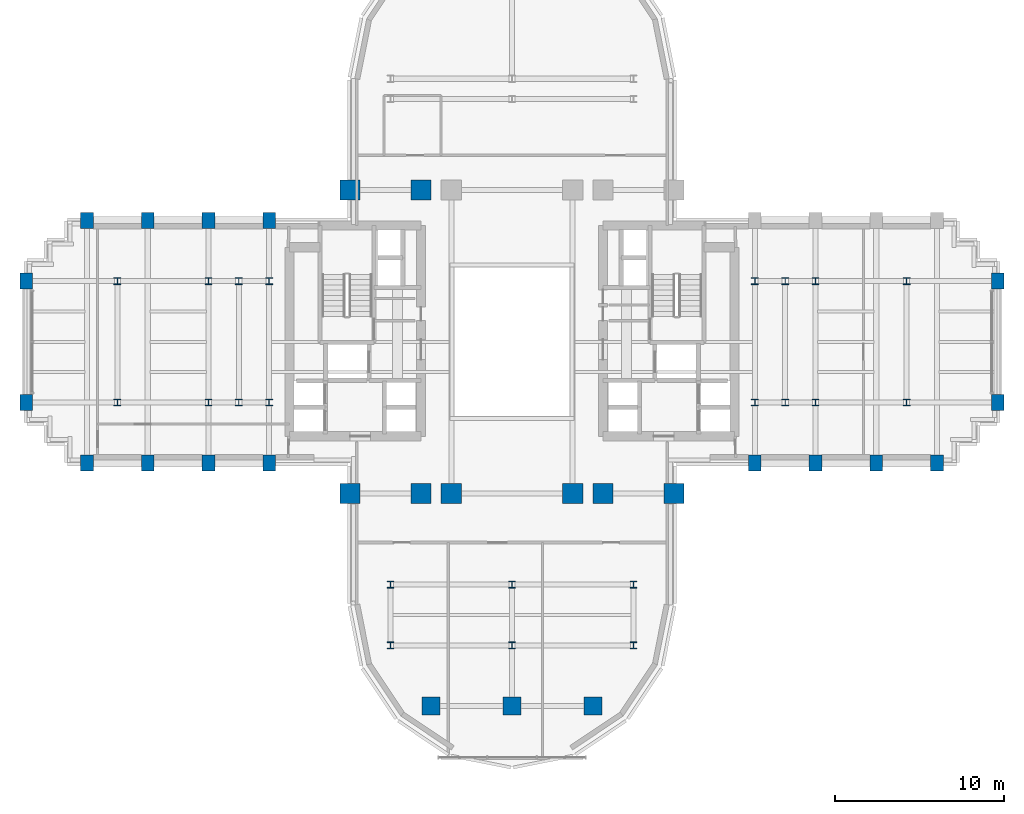
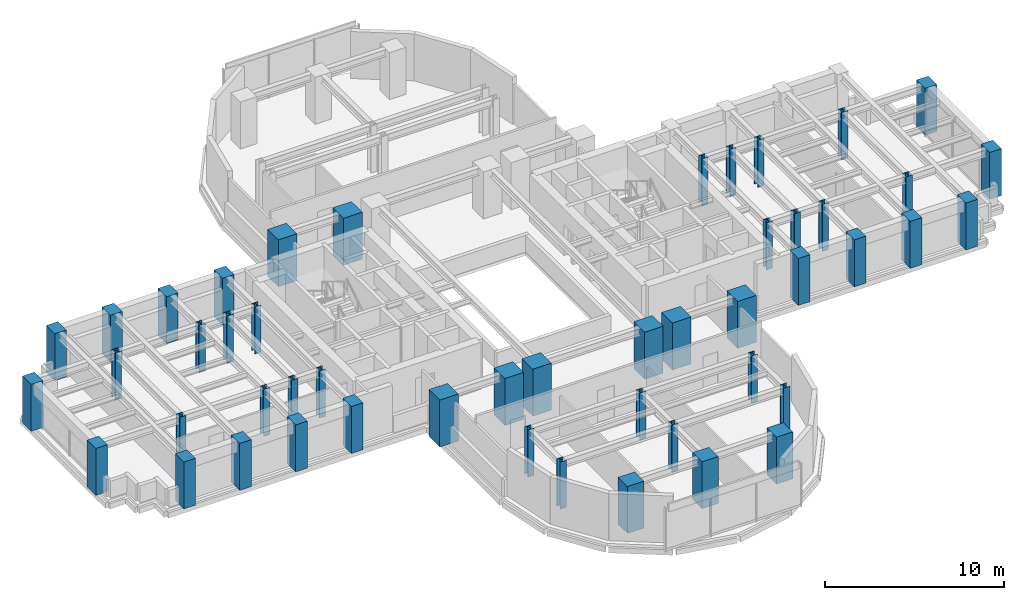
# One storey, part 1 of 16: 49 columns.
"""IFC4 building model written with IfcOpenShell, lengths in metres."""

from ifc_helpers import new_model, si_unit, direction, frame, origin, origin_2d, place, context, subcontext, project, spatial, rectangle, i_section, extrude, source, transform, mapped, material, material_profile, profile_set, type_object, element, save


model = new_model("IFC4")

# Units and contexts
model_context = context("Model", 3, precision=1e-05, world=origin(), true_north=direction((0.0, 1.0)))
body_context = subcontext(model_context, "Body", "Model", "MODEL_VIEW")
ifc_project = project(units=[si_unit("LENGTHUNIT", "METRE"), si_unit("AREAUNIT", "SQUARE_METRE"), si_unit("VOLUMEUNIT", "CUBIC_METRE"), si_unit("PLANEANGLEUNIT", "RADIAN"), si_unit("MASSUNIT", "GRAM", prefix="KILO")], contexts=[model_context])

# Site, building, storey
site_placement = place(None, origin())
site = spatial("IfcSite", under=ifc_project, at=site_placement, CompositionType="ELEMENT")
building_placement = place(site_placement, origin())
building = spatial("IfcBuilding", under=site, at=building_placement, Name="Keilestroom Media Tower", CompositionType="ELEMENT")
storey_placement = place(building_placement, frame((0.0, 0.0, 54.39990234375)))
storey = spatial("IfcBuildingStorey", under=building, at=storey_placement, Name="L13", CompositionType="ELEMENT", Elevation=54.39990234375)

# Columns
ifc_material_1 = material(Name="Precast concrete C40/50", Category="concrete")
ifc_material_profile_1 = material_profile(ifc_material_1, rectangle(XDim=0.75, YDim=0.949951171875, at=origin_2d()), Name="PC 950x750")
ifc_profile_set_1 = profile_set([ifc_material_profile_1], Name="Precast concrete C40/50")
column_type_1 = type_object("IfcColumnType", Name="Structural-Column-PC-950x750", PredefinedType="COLUMN", material=ifc_profile_set_1)
shared_shape_1 = source(origin(), body_context, "Body", "SweptSolid", [
    extrude(rectangle(XDim=0.75, YDim=0.949951171875, at=origin_2d()), origin(), (0.0, 0.0, 1.0), 3.2001953125),
])
for number, where, z_axis, x_axis, name in (
    (1, (-28.800048828125, -3.60009765625, 0.0), (0.0, 0.0, 1.0), (1.0, 0.0, 0.0), "L13 Column PC-1 (-28.8,-3.6)"),
    (2, (-28.800048828125, 3.60009765625, 0.0), (0.0, 0.0, 1.0), (1.0, 0.0, 0.0), "L13 Column PC-1 (-28.8,+3.6)"),
    (3, (-25.199951171875, -7.199951171875, 0.0), (0.0, 0.0, 1.0), (1.0, 0.0, 0.0), "L13 Column PC-1 (-25.2,-7.2)"),
    (4, (-25.199951171875, 7.199951171875, 0.0), (0.0, 0.0, 1.0), (1.0, 0.0, 0.0), "L13 Column PC-1 (-25.2,+7.2)"),
    (5, (-21.60009765625, -7.199951171875, 0.0), (0.0, 0.0, 1.0), (1.0, 0.0, 0.0), "L13 Column PC-1 (-21.6,-7.2)"),
    (6, (-21.60009765625, 7.199951171875, 0.0), (0.0, 0.0, 1.0), (1.0, 0.0, 0.0), "L13 Column PC-1 (-21.6,+7.2)"),
    (7, (-18.0, -7.199951171875, 0.0), (0.0, 0.0, 1.0), (1.0, 0.0, 0.0), "L13 Column PC-1 (-18.0,-7.2)"),
    (8, (-18.0, 7.199951171875, 0.0), (0.0, 0.0, 1.0), (1.0, 0.0, 0.0), "L13 Column PC-1 (-18.0,+7.2)"),
    (9, (-14.39990234375, -7.199951171875, 0.0), (0.0, 0.0, 1.0), (1.0, 0.0, 0.0), "L13 Column PC-1 (-14.4,-7.2)"),
    (10, (-14.39990234375, 7.199951171875, 0.0), (0.0, 0.0, 1.0), (1.0, 0.0, 0.0), "L13 Column PC-1 (-14.4,+7.2)"),
    (11, (14.39990234375, -7.199951171875, 0.0), (0.0, 0.0, 1.0), (1.0, 0.0, 0.0), "L13 Column PC-1 (+14.4,-7.2)"),
    (12, (18.0, -7.199951171875, 0.0), (0.0, 0.0, 1.0), (1.0, 0.0, 0.0), "L13 Column PC-1 (+18.0,-7.2)"),
    (13, (21.60009765625, -7.199951171875, 0.0), (0.0, 0.0, 1.0), (1.0, 0.0, 0.0), "L13 Column PC-1 (+21.6,-7.2)"),
    (14, (25.199951171875, -7.199951171875, 0.0), (0.0, 0.0, 1.0), (1.0, 0.0, 0.0), "L13 Column PC-1 (+25.2,-7.2)"),
    (15, (28.800048828125, -3.60009765625, 0.0), (0.0, 0.0, 1.0), (1.0, 0.0, 0.0), "L13 Column PC-1 (+28.8,-3.6)"),
    (16, (28.800048828125, 3.60009765625, 0.0), (0.0, 0.0, 1.0), (1.0, 0.0, 0.0), "L13 Column PC-1 (+28.8,+3.6)"),
):
    element("IfcColumn", number, at=place(storey_placement, frame(where, z_axis=z_axis, x_axis=x_axis)), inside=storey, type_object=column_type_1, Name=name, PredefinedType="COLUMN", context=body_context, shape_type="MappedRepresentation", body=[
        mapped(shared_shape_1, transform((0.0, 0.0, 0.0), x_axis=(1.0, 0.0, 0.0), y_axis=(0.0, 1.0, 0.0), z_axis=(0.0, 0.0, 1.0), scale=1.0)),
    ])
ifc_material_2 = material(Name="Steel S460", Category="steel")
ifc_material_profile_2 = material_profile(ifc_material_2, i_section(OverallWidth=0.404052734375, OverallDepth=0.406982421875, WebThickness=0.02197265625, FlangeThickness=0.035400390625, at=origin_2d()), Name="HD 400x347")
ifc_profile_set_2 = profile_set([ifc_material_profile_2], Name="Steel S460")
column_type_2 = type_object("IfcColumnType", Name="Structural-Column-HD-400x347", PredefinedType="COLUMN", material=ifc_profile_set_2)
shared_shape_2 = source(origin(), body_context, "Body", "SweptSolid", [
    extrude(i_section(OverallWidth=0.404052734375, OverallDepth=0.406982421875, WebThickness=0.02197265625, FlangeThickness=0.035400390625, at=origin_2d()), origin(), (0.0, 0.0, 1.0), 3.2001953125),
])
for number, where, z_axis, x_axis, name in (
    (17, (-23.39990234375, -3.60009765625, 0.0), (0.0, 0.0, 1.0), (1.0, 0.0, 0.0), "L13 Column SC-2 (-23.4,-3.6)"),
    (18, (-23.39990234375, 3.60009765625, 0.0), (0.0, 0.0, 1.0), (1.0, 0.0, 0.0), "L13 Column SC-2 (-23.4,+3.6)"),
    (19, (-18.0, -3.60009765625, 0.0), (0.0, 0.0, 1.0), (1.0, 0.0, 0.0), "L13 Column SC-2 (-18.0,-3.6)"),
    (20, (-18.0, 3.60009765625, 0.0), (0.0, 0.0, 1.0), (1.0, 0.0, 0.0), "L13 Column SC-2 (-18.0,+3.6)"),
    (21, (-16.199951171875, -3.60009765625, 0.0), (0.0, 0.0, 1.0), (1.0, 0.0, 0.0), "L13 Column SC-2 (-16.2,-3.6)"),
    (22, (-16.199951171875, 3.60009765625, 0.0), (0.0, 0.0, 1.0), (1.0, 0.0, 0.0), "L13 Column SC-2 (-16.2,+3.6)"),
    (23, (-14.39990234375, -3.60009765625, 0.0), (0.0, 0.0, 1.0), (1.0, 0.0, 0.0), "L13 Column SC-2 (-14.4,-3.6)"),
    (24, (-14.39990234375, 3.60009765625, 0.0), (0.0, 0.0, 1.0), (1.0, 0.0, 0.0), "L13 Column SC-2 (-14.4,+3.6)"),
    (25, (-7.199951171875, -18.0, 0.0), (0.0, 0.0, 1.0), (1.0, 0.0, 0.0), "L13 Column SC-2 (-7.2,-18.0)"),
    (26, (-7.199951171875, -14.39990234375, 0.0), (0.0, 0.0, 1.0), (1.0, 0.0, 0.0), "L13 Column SC-2 (-7.2,-14.4)"),
    (27, (0.0, -18.0, 0.0), (0.0, 0.0, 1.0), (1.0, 0.0, 0.0), "L13 Column SC-2 (+0.0,-18.0)"),
    (28, (0.0, -14.39990234375, 0.0), (0.0, 0.0, 1.0), (1.0, 0.0, 0.0), "L13 Column SC-2 (+0.0,-14.4)"),
    (29, (7.199951171875, -18.0, 0.0), (0.0, 0.0, 1.0), (1.0, 0.0, 0.0), "L13 Column SC-2 (+7.2,-18.0)"),
    (30, (7.199951171875, -14.39990234375, 0.0), (0.0, 0.0, 1.0), (1.0, 0.0, 0.0), "L13 Column SC-2 (+7.2,-14.4)"),
    (31, (14.39990234375, -3.60009765625, 0.0), (0.0, 0.0, 1.0), (1.0, 0.0, 0.0), "L13 Column SC-2 (+14.4,-3.6)"),
    (32, (14.39990234375, 3.60009765625, 0.0), (0.0, 0.0, 1.0), (1.0, 0.0, 0.0), "L13 Column SC-2 (+14.4,+3.6)"),
    (33, (16.199951171875, -3.60009765625, 0.0), (0.0, 0.0, 1.0), (1.0, 0.0, 0.0), "L13 Column SC-2 (+16.2,-3.6)"),
    (34, (16.199951171875, 3.60009765625, 0.0), (0.0, 0.0, 1.0), (1.0, 0.0, 0.0), "L13 Column SC-2 (+16.2,+3.6)"),
    (35, (18.0, -3.60009765625, 0.0), (0.0, 0.0, 1.0), (1.0, 0.0, 0.0), "L13 Column SC-2 (+18.0,-3.6)"),
    (36, (18.0, 3.60009765625, 0.0), (0.0, 0.0, 1.0), (1.0, 0.0, 0.0), "L13 Column SC-2 (+18.0,+3.6)"),
    (37, (23.39990234375, -3.60009765625, 0.0), (0.0, 0.0, 1.0), (1.0, 0.0, 0.0), "L13 Column SC-2 (+23.4,-3.6)"),
    (38, (23.39990234375, 3.60009765625, 0.0), (0.0, 0.0, 1.0), (1.0, 0.0, 0.0), "L13 Column SC-2 (+23.4,+3.6)"),
):
    element("IfcColumn", number, at=place(storey_placement, frame(where, z_axis=z_axis, x_axis=x_axis)), inside=storey, type_object=column_type_2, Name=name, PredefinedType="COLUMN", context=body_context, shape_type="MappedRepresentation", body=[
        mapped(shared_shape_2, transform((0.0, 0.0, 0.0), x_axis=(1.0, 0.0, 0.0), y_axis=(0.0, 1.0, 0.0), z_axis=(0.0, 0.0, 1.0), scale=1.0)),
    ])
ifc_material_3 = material(Name="Concrete C70/85", Category="concrete")
ifc_material_profile_3 = material_profile(ifc_material_3, rectangle(XDim=1.199951171875, YDim=1.199951171875, at=origin_2d()), Name="RC 1200x1200")
ifc_profile_set_3 = profile_set([ifc_material_profile_3], Name="Concrete C70/85")
column_type_3 = type_object("IfcColumnType", Name="Structural-Column-RC-1200x1200", PredefinedType="COLUMN", material=ifc_profile_set_3)
shared_shape_3 = source(origin(), body_context, "Body", "SweptSolid", [
    extrude(rectangle(XDim=1.199951171875, YDim=1.199951171875, at=origin_2d()), origin(), (0.0, 0.0, 1.0), 3.2001953125),
])
for number, where, z_axis, x_axis, name in (
    (39, (-9.60009765625, -9.0, 0.0), (0.0, 0.0, 1.0), (1.0, 0.0, 0.0), "L13 Column MC-2 (-9.6,-9.0)"),
    (40, (-9.60009765625, 9.0, 0.0), (0.0, 0.0, 1.0), (1.0, 0.0, 0.0), "L13 Column MC-2 (-9.6,+9.0)"),
    (41, (-5.39990234375, -9.0, 0.0), (0.0, 0.0, 1.0), (1.0, 0.0, 0.0), "L13 Column MC-2 (-5.4,-9.0)"),
    (42, (-5.39990234375, 9.0, 0.0), (0.0, 0.0, 1.0), (1.0, 0.0, 0.0), "L13 Column MC-2 (-5.4,+9.0)"),
    (43, (-3.60009765625, -9.0, 0.0), (0.0, 0.0, 1.0), (1.0, 0.0, 0.0), "L13 Column MC-2 (-3.6,-9.0)"),
    (44, (3.60009765625, -9.0, 0.0), (0.0, 0.0, 1.0), (1.0, 0.0, 0.0), "L13 Column MC-2 (+3.6,-9.0)"),
    (45, (5.39990234375, -9.0, 0.0), (0.0, 0.0, 1.0), (1.0, 0.0, 0.0), "L13 Column MC-2 (+5.4,-9.0)"),
    (46, (9.60009765625, -9.0, 0.0), (0.0, 0.0, 1.0), (1.0, 0.0, 0.0), "L13 Column MC-2 (+9.6,-9.0)"),
):
    element("IfcColumn", number, at=place(storey_placement, frame(where, z_axis=z_axis, x_axis=x_axis)), inside=storey, type_object=column_type_3, Name=name, PredefinedType="COLUMN", context=body_context, shape_type="MappedRepresentation", body=[
        mapped(shared_shape_3, transform((0.0, 0.0, 0.0), x_axis=(1.0, 0.0, 0.0), y_axis=(0.0, 1.0, 0.0), z_axis=(0.0, 0.0, 1.0), scale=1.0)),
    ])
ifc_material_4 = material(Name="Concrete C55/67", Category="concrete")
ifc_material_profile_4 = material_profile(ifc_material_4, rectangle(XDim=1.050048828125, YDim=1.050048828125, at=origin_2d()), Name="RC 1050x1050")
ifc_profile_set_4 = profile_set([ifc_material_profile_4], Name="Concrete C55/67")
column_type_4 = type_object("IfcColumnType", Name="Structural-Column-RC-1050x1050", PredefinedType="COLUMN", material=ifc_profile_set_4)
shared_shape_4 = source(origin(), body_context, "Body", "SweptSolid", [
    extrude(rectangle(XDim=1.050048828125, YDim=1.050048828125, at=origin_2d()), origin(), (0.0, 0.0, 1.0), 3.2001953125),
])
for number, where, z_axis, x_axis, name in (
    (47, (-4.800048828125, -21.60009765625, 0.0), (0.0, 0.0, 1.0), (1.0, 0.0, 0.0), "L13 Column MC-3 (-4.8,-21.6)"),
    (48, (0.0, -21.60009765625, 0.0), (0.0, 0.0, 1.0), (1.0, 0.0, 0.0), "L13 Column MC-3 (+0.0,-21.6)"),
    (49, (4.800048828125, -21.60009765625, 0.0), (0.0, 0.0, 1.0), (1.0, 0.0, 0.0), "L13 Column MC-3 (+4.8,-21.6)"),
):
    element("IfcColumn", number, at=place(storey_placement, frame(where, z_axis=z_axis, x_axis=x_axis)), inside=storey, type_object=column_type_4, Name=name, PredefinedType="COLUMN", context=body_context, shape_type="MappedRepresentation", body=[
        mapped(shared_shape_4, transform((0.0, 0.0, 0.0), x_axis=(1.0, 0.0, 0.0), y_axis=(0.0, 1.0, 0.0), z_axis=(0.0, 0.0, 1.0), scale=1.0)),
    ])

save(model, "model.ifc")
